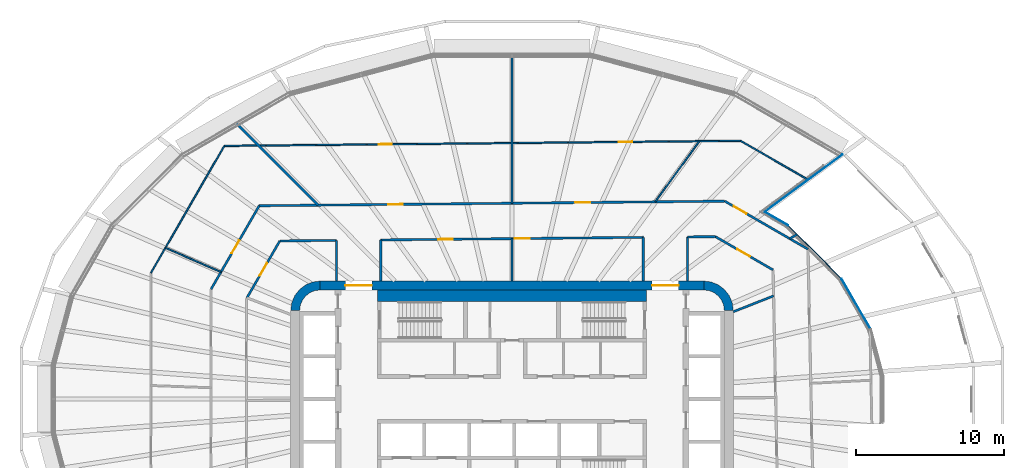
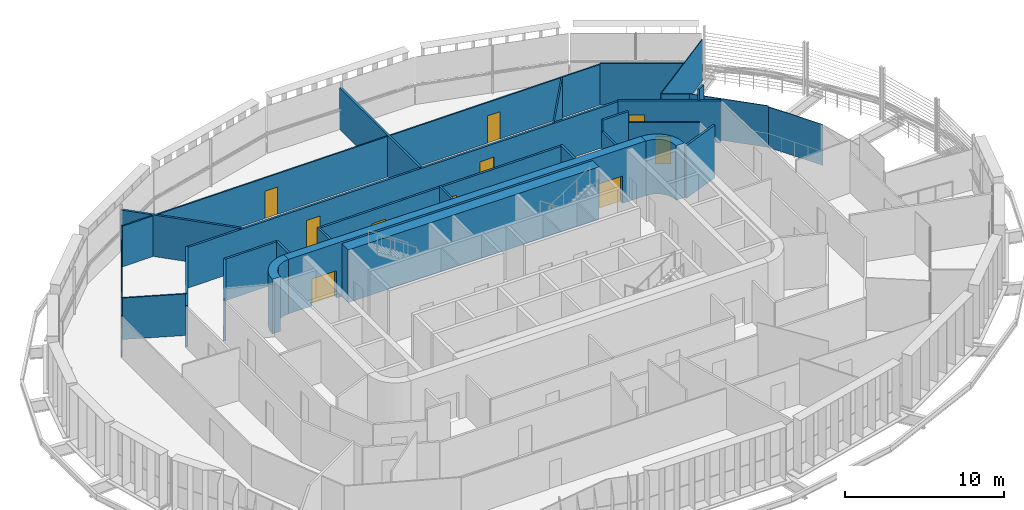
# One storey, part 16 of 24: 30 walls, 12 doors, 12 openings.
"""IFC4 building model written with IfcOpenShell, lengths in metres."""

from ifc_helpers import new_model, si_unit, direction, frame, frame_2d, origin, place, context, subcontext, project, spatial, polyline, rectangle, outline, extrude, material, layer, layer_set, type_object, element, fill, save


model = new_model("IFC4")

# Units and contexts
model_context = context("Model", 3, precision=1e-05, world=origin(), true_north=direction((0.0, 1.0)))
body_context = subcontext(model_context, "Body", "Model", "MODEL_VIEW")
ifc_project = project(units=[si_unit("LENGTHUNIT", "METRE"), si_unit("AREAUNIT", "SQUARE_METRE"), si_unit("VOLUMEUNIT", "CUBIC_METRE"), si_unit("PLANEANGLEUNIT", "RADIAN"), si_unit("MASSUNIT", "GRAM", prefix="KILO")], contexts=[model_context])

# Site, building, storey
site_placement = place(None, origin())
site = spatial("IfcSite", under=ifc_project, at=site_placement, CompositionType="ELEMENT")
building_placement = place(site_placement, origin())
building = spatial("IfcBuilding", under=site, at=building_placement, Name="Sahrelin Media Tower", CompositionType="ELEMENT")
storey_placement = place(building_placement, frame((0.0, 0.0, 71.39990234375)))
storey = spatial("IfcBuildingStorey", under=building, at=storey_placement, Name="L12", CompositionType="ELEMENT", Elevation=71.39990234375)

# Wall, openings, doors
ifc_material_1 = material(Name="Concrete C60/75", Category="concrete")
ifc_layer_1 = layer(ifc_material_1, 0.60009765625)
ifc_layer_set_1 = layer_set([ifc_layer_1], Name="Core wall 600")
wall_type_1 = type_object("IfcWallType", Name="Core wall 600", PredefinedType="SHEAR", material=ifc_layer_set_1)
wall_1_placement = place(storey_placement, frame((-13.0, 7.699951171875, 0.0), z_axis=(0.0, 0.0, 1.0), x_axis=(1.0, 0.0, 0.0)))
wall_1 = element("IfcWall", 1, at=wall_1_placement, inside=storey, type_object=wall_type_1, Name="Core wall N L12", PredefinedType="SHEAR", context=body_context, shape_type="SweptSolid", body=[
    extrude(rectangle(XDim=26.0, YDim=0.60009765625, at=frame_2d((13.0, 0.0))), origin(), (0.0, 0.0, 1.0), 4.2001953125),
])
opening_1_placement = place(wall_1_placement, frame((1.699951171875, 0.0, 0.0)))
opening_1 = element("IfcOpeningElement", 2, at=opening_1_placement, cuts=wall_1, Name="Opening L12-D19", PredefinedType="OPENING", context=body_context, shape_type="SweptSolid", body=[
    extrude(rectangle(XDim=1.800048828125, YDim=2.10009765625, at=frame_2d((0.89990234375, 1.050048828125))), frame((0.0, 0.300048828125, 0.0), z_axis=(0.0, -1.0, 0.0), x_axis=(1.0, 0.0, 0.0)), (0.0, 0.0, 1.0), 0.60009765625),
])
opening_2_placement = place(wall_1_placement, frame((22.5, 0.0, 0.0)))
opening_2 = element("IfcOpeningElement", 3, at=opening_2_placement, cuts=wall_1, Name="Opening L12-D20", PredefinedType="OPENING", context=body_context, shape_type="SweptSolid", body=[
    extrude(rectangle(XDim=1.800048828125, YDim=2.10009765625, at=frame_2d((0.89990234375, 1.050048828125))), frame((0.0, 0.300048828125, 0.0), z_axis=(0.0, -1.0, 0.0), x_axis=(1.0, 0.0, 0.0)), (0.0, 0.0, 1.0), 0.60009765625),
])
ifc_material_2 = material(Name="Steel fire door leaf", Category="steel")
door_type_1 = type_object("IfcDoorType", Name="Lobby double door 1800 x 2100 EI 60", OperationType="DOUBLE_DOOR_SINGLE_SWING", PredefinedType="DOOR", material=ifc_material_2)
door_1_placement = place(opening_1_placement, origin())
door_1 = element("IfcDoor", 4, at=door_1_placement, inside=storey, type_object=door_type_1, Name="Lobby door", OperationType="DOUBLE_DOOR_SINGLE_SWING", OverallHeight=2.10009765625, OverallWidth=1.800048828125, PredefinedType="DOOR", context=body_context, shape_type="SweptSolid", body=[
    extrude(rectangle(XDim=1.800048828125, YDim=2.10009765625, at=frame_2d((0.89990234375, 1.050048828125))), frame((0.0, 0.02490234375, 0.0), z_axis=(0.0, -1.0, 0.0), x_axis=(1.0, 0.0, 0.0)), (0.0, 0.0, 1.0), 0.050048828125),
])
fill(opening_1, door_1)
door_2_placement = place(opening_2_placement, origin())
door_2 = element("IfcDoor", 5, at=door_2_placement, inside=storey, type_object=door_type_1, Name="Lobby door", OperationType="DOUBLE_DOOR_SINGLE_SWING", OverallHeight=2.10009765625, OverallWidth=1.800048828125, PredefinedType="DOOR", context=body_context, shape_type="SweptSolid", body=[
    extrude(rectangle(XDim=1.800048828125, YDim=2.10009765625, at=frame_2d((0.89990234375, 1.050048828125))), frame((0.0, 0.02490234375, 0.0), z_axis=(0.0, -1.0, 0.0), x_axis=(1.0, 0.0, 0.0)), (0.0, 0.0, 1.0), 0.050048828125),
])
fill(opening_2, door_2)

# Walls
placement = place(storey_placement, origin())
element("IfcWall", 6, at=placement, inside=storey, type_object=wall_type_1, Name="Core wall corner NE L12", PredefinedType="SHEAR", context=body_context, shape_type="SweptSolid", body=[
    extrude(outline(polyline([(13.0, 8.0), (13.0, 7.394775390625), (13.361083984375, 7.347412109375), (13.697509765625, 7.2080078125), (13.986328125, 6.986328125), (14.2080078125, 6.697509765625), (14.347412109375, 6.361083984375), (14.394775390625, 6.0), (15.0, 6.0), (14.931884765625, 6.517578125), (14.732177734375, 7.0), (14.414306640625, 7.414306640625), (14.0, 7.732177734375), (13.517578125, 7.931884765625), (13.0, 8.0)])), origin(), (0.0, 0.0, 1.0), 4.2001953125),
])
element("IfcWall", 7, at=placement, inside=storey, type_object=wall_type_1, Name="Core wall corner NW L12", PredefinedType="SHEAR", context=body_context, shape_type="SweptSolid", body=[
    extrude(outline(polyline([(-15.0, 6.0), (-14.394775390625, 6.0), (-14.347412109375, 6.361083984375), (-14.2080078125, 6.697509765625), (-13.986328125, 6.986328125), (-13.697509765625, 7.2080078125), (-13.361083984375, 7.347412109375), (-13.0, 7.394775390625), (-13.0, 8.0), (-13.517578125, 7.931884765625), (-14.0, 7.732177734375), (-14.414306640625, 7.414306640625), (-14.732177734375, 7.0), (-14.931884765625, 6.517578125), (-15.0, 6.0)])), origin(), (0.0, 0.0, 1.0), 4.2001953125),
])
ifc_material_3 = material(Name="Fire-rated gypsum board partition")
ifc_layer_2 = layer(ifc_material_3, 0.14990234375)
ifc_layer_set_2 = layer_set([ifc_layer_2], Name="Fire-rated partition 150")
wall_type_2 = type_object("IfcWallType", Name="Fire-rated partition 150", PredefinedType="PARTITIONING", material=ifc_layer_set_2)
wall_4_placement = place(storey_placement, frame((-18.702880859375, 18.702880859375, 0.0), z_axis=(0.0, 0.0, 1.0), x_axis=(0.707106781187, -0.707106781187, 0.0)))
element("IfcWall", 8, at=wall_4_placement, inside=storey, type_object=wall_type_2, Name="Wall", PredefinedType="PARTITIONING", context=body_context, shape_type="SweptSolid", body=[
    extrude(rectangle(XDim=7.865478515625, YDim=0.14990234375, at=frame_2d((3.9326171875, 0.0))), origin(), (0.0, 0.0, 1.0), 3.1953125),
])

# Wall, opening, door
wall_5_placement = place(storey_placement, frame((13.7900390625, 11.008056640625, 0.0), z_axis=(0.0, 0.0, 1.0), x_axis=(0.866043190618, -0.499969191034, 0.0)))
wall_5 = element("IfcWall", 9, at=wall_5_placement, inside=storey, type_object=wall_type_2, Name="Wall", PredefinedType="PARTITIONING", context=body_context, shape_type="SweptSolid", body=[
    extrude(rectangle(XDim=4.510986328125, YDim=0.14990234375, at=frame_2d((2.25537109375, 0.0))), origin(), (0.0, 0.0, 1.0), 3.1953125),
])
opening_3_placement = place(wall_5_placement, frame((1.706298828125, 0.0, 0.0)))
opening_3 = element("IfcOpeningElement", 10, at=opening_3_placement, cuts=wall_5, Name="Opening L12-D28", PredefinedType="OPENING", context=body_context, shape_type="SweptSolid", body=[
    extrude(rectangle(XDim=1.0, YDim=2.10009765625, at=frame_2d((0.5, 1.050048828125))), frame((0.0, 0.074951171875, 0.0), z_axis=(0.0, -1.0, 0.0), x_axis=(1.0, 0.0, 0.0)), (0.0, 0.0, 1.0), 0.14990234375),
])
door_type_2 = type_object("IfcDoorType", Name="Fire door 1000 x 2100 EI 60", OperationType="NOTDEFINED", PredefinedType="DOOR", material=ifc_material_2)
door_3_placement = place(opening_3_placement, origin())
door_3 = element("IfcDoor", 11, at=door_3_placement, inside=storey, type_object=door_type_2, Name="Fire door", OperationType="SINGLE_SWING_LEFT", OverallHeight=2.10009765625, OverallWidth=1.0, PredefinedType="DOOR", context=body_context, shape_type="SweptSolid", body=[
    extrude(rectangle(XDim=1.0, YDim=2.10009765625, at=frame_2d((0.5, 1.050048828125))), frame((0.0, 0.02490234375, 0.0), z_axis=(0.0, -1.0, 0.0), x_axis=(1.0, 0.0, 0.0)), (0.0, 0.0, 1.0), 0.050048828125),
])
fill(opening_3, door_3)

wall_6_placement = place(storey_placement, frame((14.422119140625, 13.4140625, 0.0), z_axis=(0.0, 0.0, 1.0), x_axis=(0.866054628924, -0.499949377157, 0.0)))
wall_6 = element("IfcWall", 12, at=wall_6_placement, inside=storey, type_object=wall_type_2, Name="Wall", PredefinedType="PARTITIONING", context=body_context, shape_type="SweptSolid", body=[
    extrude(rectangle(XDim=6.519287109375, YDim=0.14990234375, at=frame_2d((3.259765625, 0.0))), origin(), (0.0, 0.0, 1.0), 3.1953125),
])
opening_4_placement = place(wall_6_placement, frame((0.701416015625, 0.0, 0.0)))
opening_4 = element("IfcOpeningElement", 13, at=opening_4_placement, cuts=wall_6, Name="Opening L12-D53", PredefinedType="OPENING", context=body_context, shape_type="SweptSolid", body=[
    extrude(rectangle(XDim=1.0, YDim=2.10009765625, at=frame_2d((0.5, 1.050048828125))), frame((0.0, 0.074951171875, 0.0), z_axis=(0.0, -1.0, 0.0), x_axis=(1.0, 0.0, 0.0)), (0.0, 0.0, 1.0), 0.14990234375),
])
door_4_placement = place(opening_4_placement, origin())
door_4 = element("IfcDoor", 14, at=door_4_placement, inside=storey, type_object=door_type_2, Name="Fire door", OperationType="SINGLE_SWING_LEFT", OverallHeight=2.10009765625, OverallWidth=1.0, PredefinedType="DOOR", context=body_context, shape_type="SweptSolid", body=[
    extrude(rectangle(XDim=1.0, YDim=2.10009765625, at=frame_2d((0.5, 1.050048828125))), frame((0.0, 0.02490234375, 0.0), z_axis=(0.0, -1.0, 0.0), x_axis=(1.0, 0.0, 0.0)), (0.0, 0.0, 1.0), 0.050048828125),
])
fill(opening_4, door_4)

# Wall
wall_7_placement = place(storey_placement, frame((-15.741943359375, 10.715087890625, 0.0), z_axis=(0.0, 0.0, 1.0), x_axis=(0.999950870391, 0.009912456998, 0.0)))
element("IfcWall", 15, at=wall_7_placement, inside=storey, type_object=wall_type_2, Name="Wall", PredefinedType="PARTITIONING", context=body_context, shape_type="SweptSolid", body=[
    extrude(rectangle(XDim=3.84228515625, YDim=0.14990234375, at=frame_2d((1.921142578125, 0.0))), origin(), (0.0, 0.0, 1.0), 3.1953125),
])

# Wall, openings, doors
wall_8_placement = place(storey_placement, frame((-8.89990234375, 10.782958984375, 0.0), z_axis=(0.0, 0.0, 1.0), x_axis=(0.999950697987, 0.009929833562, 0.0)))
wall_8 = element("IfcWall", 16, at=wall_8_placement, inside=storey, type_object=wall_type_2, Name="Wall", PredefinedType="PARTITIONING", context=body_context, shape_type="SweptSolid", body=[
    extrude(rectangle(XDim=17.80078125, YDim=0.14990234375, at=frame_2d((8.900390625, 0.0))), origin(), (0.0, 0.0, 1.0), 3.127197265625),
])
opening_5_placement = place(wall_8_placement, frame((9.100341796875, 0.0, 0.0)))
opening_5 = element("IfcOpeningElement", 17, at=opening_5_placement, cuts=wall_8, Name="Opening L12-D29", PredefinedType="OPENING", context=body_context, shape_type="SweptSolid", body=[
    extrude(rectangle(XDim=1.0, YDim=2.10009765625, at=frame_2d((0.5, 1.050048828125))), frame((0.0, 0.074951171875, 0.0), z_axis=(0.0, -1.0, 0.0), x_axis=(1.0, 0.0, 0.0)), (0.0, 0.0, 1.0), 0.14990234375),
])
opening_6_placement = place(wall_8_placement, frame((3.89990234375, 0.0, 0.0)))
opening_6 = element("IfcOpeningElement", 18, at=opening_6_placement, cuts=wall_8, Name="Opening L12-D30", PredefinedType="OPENING", context=body_context, shape_type="SweptSolid", body=[
    extrude(rectangle(XDim=1.0, YDim=2.10009765625, at=frame_2d((0.5, 1.050048828125))), frame((0.0, 0.074951171875, 0.0), z_axis=(0.0, -1.0, 0.0), x_axis=(1.0, 0.0, 0.0)), (0.0, 0.0, 1.0), 0.14990234375),
])
door_5_placement = place(opening_5_placement, origin())
door_5 = element("IfcDoor", 19, at=door_5_placement, inside=storey, type_object=door_type_2, Name="Fire door", OperationType="SINGLE_SWING_RIGHT", OverallHeight=2.10009765625, OverallWidth=1.0, PredefinedType="DOOR", context=body_context, shape_type="SweptSolid", body=[
    extrude(rectangle(XDim=1.0, YDim=2.10009765625, at=frame_2d((0.5, 1.050048828125))), frame((0.0, 0.02490234375, 0.0), z_axis=(0.0, -1.0, 0.0), x_axis=(1.0, 0.0, 0.0)), (0.0, 0.0, 1.0), 0.050048828125),
])
fill(opening_5, door_5)
door_6_placement = place(opening_6_placement, origin())
door_6 = element("IfcDoor", 20, at=door_6_placement, inside=storey, type_object=door_type_2, Name="Fire door", OperationType="SINGLE_SWING_RIGHT", OverallHeight=2.10009765625, OverallWidth=1.0, PredefinedType="DOOR", context=body_context, shape_type="SweptSolid", body=[
    extrude(rectangle(XDim=1.0, YDim=2.10009765625, at=frame_2d((0.5, 1.050048828125))), frame((0.0, 0.02490234375, 0.0), z_axis=(0.0, -1.0, 0.0), x_axis=(1.0, 0.0, 0.0)), (0.0, 0.0, 1.0), 0.050048828125),
])
fill(opening_6, door_6)

# Wall
wall_9_placement = place(storey_placement, frame((11.89990234375, 10.989013671875, 0.0), z_axis=(0.0, 0.0, 1.0), x_axis=(0.999950544693, 0.009945258582, 0.0)))
element("IfcWall", 21, at=wall_9_placement, inside=storey, type_object=wall_type_2, Name="Wall", PredefinedType="PARTITIONING", context=body_context, shape_type="SweptSolid", body=[
    extrude(rectangle(XDim=1.89013671875, YDim=0.14990234375, at=frame_2d((0.945068359375, 0.0))), origin(), (0.0, 0.0, 1.0), 4.050048828125),
])

# Wall, openings, doors
wall_10_placement = place(storey_placement, frame((-17.135009765625, 13.10107421875, 0.0), z_axis=(0.0, 0.0, 1.0), x_axis=(0.999950742047, 0.009925395736, 0.0)))
wall_10 = element("IfcWall", 22, at=wall_10_placement, inside=storey, type_object=wall_type_2, Name="Wall", PredefinedType="PARTITIONING", context=body_context, shape_type="SweptSolid", body=[
    extrude(rectangle(XDim=31.55859375, YDim=0.14990234375, at=frame_2d((15.779296875, 0.0))), origin(), (0.0, 0.0, 1.0), 3.127197265625),
])
opening_7_placement = place(wall_10_placement, frame((21.44091796875, 0.0, 0.0)))
opening_7 = element("IfcOpeningElement", 23, at=opening_7_placement, cuts=wall_10, Name="Opening L12-D54", PredefinedType="OPENING", context=body_context, shape_type="SweptSolid", body=[
    extrude(rectangle(XDim=1.0, YDim=2.10009765625, at=frame_2d((0.5, 1.050048828125))), frame((0.0, 0.074951171875, 0.0), z_axis=(0.0, -1.0, 0.0), x_axis=(1.0, 0.0, 0.0)), (0.0, 0.0, 1.0), 0.14990234375),
])
opening_8_placement = place(wall_10_placement, frame((8.738525390625, 0.0, 0.0)))
opening_8 = element("IfcOpeningElement", 24, at=opening_8_placement, cuts=wall_10, Name="Opening L12-D56", PredefinedType="OPENING", context=body_context, shape_type="SweptSolid", body=[
    extrude(rectangle(XDim=1.0, YDim=2.10009765625, at=frame_2d((0.5, 1.050048828125))), frame((0.0, 0.074951171875, 0.0), z_axis=(0.0, -1.0, 0.0), x_axis=(1.0, 0.0, 0.0)), (0.0, 0.0, 1.0), 0.14990234375),
])
door_7_placement = place(opening_7_placement, origin())
door_7 = element("IfcDoor", 25, at=door_7_placement, inside=storey, type_object=door_type_2, Name="Fire door", OperationType="SINGLE_SWING_LEFT", OverallHeight=2.10009765625, OverallWidth=1.0, PredefinedType="DOOR", context=body_context, shape_type="SweptSolid", body=[
    extrude(rectangle(XDim=1.0, YDim=2.10009765625, at=frame_2d((0.5, 1.050048828125))), frame((0.0, 0.02490234375, 0.0), z_axis=(0.0, -1.0, 0.0), x_axis=(1.0, 0.0, 0.0)), (0.0, 0.0, 1.0), 0.050048828125),
])
fill(opening_7, door_7)
door_8_placement = place(opening_8_placement, origin())
door_8 = element("IfcDoor", 26, at=door_8_placement, inside=storey, type_object=door_type_2, Name="Fire door", OperationType="SINGLE_SWING_RIGHT", OverallHeight=2.10009765625, OverallWidth=1.0, PredefinedType="DOOR", context=body_context, shape_type="SweptSolid", body=[
    extrude(rectangle(XDim=1.0, YDim=2.10009765625, at=frame_2d((0.5, 1.050048828125))), frame((0.0, 0.02490234375, 0.0), z_axis=(0.0, -1.0, 0.0), x_axis=(1.0, 0.0, 0.0)), (0.0, 0.0, 1.0), 0.050048828125),
])
fill(opening_8, door_8)

# Walls
wall_11_placement = place(storey_placement, frame((15.0, 5.9130859375, 0.0), z_axis=(0.0, 0.0, 1.0), x_axis=(0.930259747539, 0.366901624565, 0.0)))
element("IfcWall", 27, at=wall_11_placement, inside=storey, type_object=wall_type_2, Name="Wall", PredefinedType="PARTITIONING", context=body_context, shape_type="SweptSolid", body=[
    extrude(rectangle(XDim=2.937744140625, YDim=0.14990234375, at=frame_2d((1.46875, 0.0))), origin(), (0.0, 0.0, 1.0), 4.050048828125),
])
wall_12_placement = place(storey_placement, frame((18.827880859375, 10.87109375, 0.0), z_axis=(0.0, 0.0, 1.0), x_axis=(0.866242357422, 0.49962403686, 0.0)))
element("IfcWall", 28, at=wall_12_placement, inside=storey, type_object=wall_type_2, Name="Wall", PredefinedType="PARTITIONING", context=body_context, shape_type="SweptSolid", body=[
    extrude(rectangle(XDim=0.57275390625, YDim=0.14990234375, at=frame_2d((0.286376953125, 0.0))), origin(), (0.0, 0.0, 1.0), 4.050048828125),
])

# Wall, opening, door
wall_13_placement = place(storey_placement, frame((-17.968017578125, 6.860107421875, 0.0), z_axis=(0.0, 0.0, 1.0), x_axis=(0.499985160367, 0.866033971281, 0.0)))
wall_13 = element("IfcWall", 29, at=wall_13_placement, inside=storey, type_object=wall_type_2, Name="Wall", PredefinedType="PARTITIONING", context=body_context, shape_type="SweptSolid", body=[
    extrude(rectangle(XDim=4.451416015625, YDim=0.14990234375, at=frame_2d((2.2255859375, 0.0))), origin(), (0.0, 0.0, 1.0), 3.1953125),
])
opening_9_placement = place(wall_13_placement, frame((1.7236328125, 0.0, 0.0)))
opening_9 = element("IfcOpeningElement", 30, at=opening_9_placement, cuts=wall_13, Name="Opening L12-D31", PredefinedType="OPENING", context=body_context, shape_type="SweptSolid", body=[
    extrude(rectangle(XDim=1.0, YDim=2.10009765625, at=frame_2d((0.5, 1.050048828125))), frame((0.0, 0.074951171875, 0.0), z_axis=(0.0, -1.0, 0.0), x_axis=(1.0, 0.0, 0.0)), (0.0, 0.0, 1.0), 0.14990234375),
])
door_9_placement = place(opening_9_placement, origin())
door_9 = element("IfcDoor", 31, at=door_9_placement, inside=storey, type_object=door_type_2, Name="Fire door", OperationType="SINGLE_SWING_LEFT", OverallHeight=2.10009765625, OverallWidth=1.0, PredefinedType="DOOR", context=body_context, shape_type="SweptSolid", body=[
    extrude(rectangle(XDim=1.0, YDim=2.10009765625, at=frame_2d((0.5, 1.050048828125))), frame((0.0, 0.02490234375, 0.0), z_axis=(0.0, -1.0, 0.0), x_axis=(1.0, 0.0, 0.0)), (0.0, 0.0, 1.0), 0.050048828125),
])
fill(opening_9, door_9)

wall_14_placement = place(storey_placement, frame((-20.39990234375, 7.447021484375, 0.0), z_axis=(0.0, 0.0, 1.0), x_axis=(0.499959831567, 0.866048593798, 0.0)))
wall_14 = element("IfcWall", 32, at=wall_14_placement, inside=storey, type_object=wall_type_2, Name="Wall", PredefinedType="PARTITIONING", context=body_context, shape_type="SweptSolid", body=[
    extrude(rectangle(XDim=6.52880859375, YDim=0.14990234375, at=frame_2d((3.264404296875, 0.0))), origin(), (0.0, 0.0, 1.0), 3.1953125),
])
opening_10_placement = place(wall_14_placement, frame((2.81103515625, 0.0, 0.0)))
opening_10 = element("IfcOpeningElement", 33, at=opening_10_placement, cuts=wall_14, Name="Opening L12-D35", PredefinedType="OPENING", context=body_context, shape_type="SweptSolid", body=[
    extrude(rectangle(XDim=1.0, YDim=2.10009765625, at=frame_2d((0.5, 1.050048828125))), frame((0.0, 0.074951171875, 0.0), z_axis=(0.0, -1.0, 0.0), x_axis=(1.0, 0.0, 0.0)), (0.0, 0.0, 1.0), 0.14990234375),
])
door_10_placement = place(opening_10_placement, origin())
door_10 = element("IfcDoor", 34, at=door_10_placement, inside=storey, type_object=door_type_2, Name="Fire door", OperationType="SINGLE_SWING_RIGHT", OverallHeight=2.10009765625, OverallWidth=1.0, PredefinedType="DOOR", context=body_context, shape_type="SweptSolid", body=[
    extrude(rectangle(XDim=1.0, YDim=2.10009765625, at=frame_2d((0.5, 1.050048828125))), frame((0.0, 0.02490234375, 0.0), z_axis=(0.0, -1.0, 0.0), x_axis=(1.0, 0.0, 0.0)), (0.0, 0.0, 1.0), 0.050048828125),
])
fill(opening_10, door_10)

# Walls
wall_15_placement = place(storey_placement, frame((11.89990234375, 8.0, 0.0), z_axis=(0.0, 0.0, 1.0), x_axis=(0.0, 1.0, 0.0)))
element("IfcWall", 35, at=wall_15_placement, inside=storey, type_object=wall_type_2, Name="Wall", PredefinedType="PARTITIONING", context=body_context, shape_type="SweptSolid", body=[
    extrude(rectangle(XDim=2.989013671875, YDim=0.14990234375, at=frame_2d((1.49462890625, 0.0))), origin(), (0.0, 0.0, 1.0), 3.1953125),
])
wall_16_placement = place(storey_placement, frame((8.89990234375, 8.0, 0.0), z_axis=(0.0, 0.0, 1.0), x_axis=(0.0, 1.0, 0.0)))
element("IfcWall", 36, at=wall_16_placement, inside=storey, type_object=wall_type_2, Name="Wall", PredefinedType="PARTITIONING", context=body_context, shape_type="SweptSolid", body=[
    extrude(rectangle(XDim=2.958984375, YDim=0.14990234375, at=frame_2d((1.4794921875, 0.0))), origin(), (0.0, 0.0, 1.0), 3.1953125),
])
wall_17_placement = place(storey_placement, frame((0.0, 8.0, 0.0), z_axis=(0.0, 0.0, 1.0), x_axis=(0.0, 1.0, 0.0)))
element("IfcWall", 37, at=wall_17_placement, inside=storey, type_object=wall_type_2, Name="Wall", PredefinedType="PARTITIONING", context=body_context, shape_type="SweptSolid", body=[
    extrude(rectangle(XDim=2.87109375, YDim=0.14990234375, at=frame_2d((1.435546875, 0.0))), origin(), (0.0, 0.0, 1.0), 3.1953125),
])
wall_18_placement = place(storey_placement, frame((0.0, 13.27099609375, 0.0), z_axis=(0.0, 0.0, 1.0), x_axis=(0.0, 1.0, 0.0)))
element("IfcWall", 38, at=wall_18_placement, inside=storey, type_object=wall_type_2, Name="Wall", PredefinedType="PARTITIONING", context=body_context, shape_type="SweptSolid", body=[
    extrude(rectangle(XDim=10.10400390625, YDim=0.14990234375, at=frame_2d((5.052001953125, 0.0))), origin(), (0.0, 0.0, 1.0), 3.1953125),
])
wall_19_placement = place(storey_placement, frame((-8.89990234375, 8.0, 0.0), z_axis=(0.0, 0.0, 1.0), x_axis=(0.0, 1.0, 0.0)))
element("IfcWall", 39, at=wall_19_placement, inside=storey, type_object=wall_type_2, Name="Wall", PredefinedType="PARTITIONING", context=body_context, shape_type="SweptSolid", body=[
    extrude(rectangle(XDim=2.782958984375, YDim=0.14990234375, at=frame_2d((1.3916015625, 0.0))), origin(), (0.0, 0.0, 1.0), 3.1953125),
])
wall_20_placement = place(storey_placement, frame((-11.89990234375, 8.0, 0.0), z_axis=(0.0, 0.0, 1.0), x_axis=(0.0, 1.0, 0.0)))
element("IfcWall", 40, at=wall_20_placement, inside=storey, type_object=wall_type_2, Name="Wall", PredefinedType="PARTITIONING", context=body_context, shape_type="SweptSolid", body=[
    extrude(rectangle(XDim=2.7529296875, YDim=0.14990234375, at=frame_2d((1.37646484375, 0.0))), origin(), (0.0, 0.0, 1.0), 3.1953125),
])
ifc_material_4 = material(Name="Clear glass", Category="glass")
ifc_layer_3 = layer(ifc_material_4, 0.050048828125)
ifc_layer_set_3 = layer_set([ifc_layer_3], Name="Glazed partition 50")
wall_type_3 = type_object("IfcWallType", Name="Glazed partition 50", PredefinedType="PARTITIONING", material=ifc_layer_set_3)
wall_21_placement = place(storey_placement, frame((22.34912109375, 8.132080078125, 0.0), z_axis=(0.0, 0.0, 1.0), x_axis=(0.500744318686, -0.865595244502, 0.0)))
element("IfcWall", 41, at=wall_21_placement, inside=storey, type_object=wall_type_3, Name="Wall", PredefinedType="PARTITIONING", context=body_context, shape_type="SweptSolid", body=[
    extrude(rectangle(XDim=3.9560546875, YDim=0.050048828125, at=frame_2d((1.97802734375, 0.0))), origin(), (0.0, 0.0, 1.0), 3.127197265625),
])
wall_22_placement = place(storey_placement, frame((18.7080078125, 11.77294921875, 0.0), z_axis=(0.0, 0.0, 1.0), x_axis=(0.707130487725, -0.707083073853, 0.0)))
element("IfcWall", 42, at=wall_22_placement, inside=storey, type_object=wall_type_3, Name="Wall", PredefinedType="PARTITIONING", context=body_context, shape_type="SweptSolid", body=[
    extrude(rectangle(XDim=5.149169921875, YDim=0.050048828125, at=frame_2d((2.57470703125, 0.0))), origin(), (0.0, 0.0, 1.0), 3.1953125),
])
wall_23_placement = place(storey_placement, frame((17.134033203125, 12.681884765625, 0.0), z_axis=(0.0, 0.0, 1.0), x_axis=(0.865977542148, -0.500082889625, 0.0)))
element("IfcWall", 43, at=wall_23_placement, inside=storey, type_object=wall_type_3, Name="Wall", PredefinedType="PARTITIONING", context=body_context, shape_type="SweptSolid", body=[
    extrude(rectangle(XDim=1.817626953125, YDim=0.050048828125, at=frame_2d((0.90869140625, 0.0))), origin(), (0.0, 0.0, 1.0), 3.1953125),
])
wall_24_placement = place(storey_placement, frame((17.1337890625, 12.68212890625, 0.0), z_axis=(0.0, 0.0, 1.0), x_axis=(0.80379050332, 0.594912453033, 0.0)))
element("IfcWall", 44, at=wall_24_placement, inside=storey, type_object=wall_type_3, Name="Wall", PredefinedType="PARTITIONING", context=body_context, shape_type="SweptSolid", body=[
    extrude(rectangle(XDim=6.5419921875, YDim=0.050048828125, at=frame_2d((3.27099609375, 0.0))), origin(), (0.0, 0.0, 1.0), 3.1953125),
])
ifc_material_5 = material(Name="Gypsum board partition")
ifc_layer_4 = layer(ifc_material_5, 0.10009765625)
ifc_layer_set_4 = layer_set([ifc_layer_4], Name="Partition 100")
wall_type_4 = type_object("IfcWallType", Name="Partition 100", PredefinedType="PARTITIONING", material=ifc_layer_set_4)
wall_25_placement = place(storey_placement, frame((15.49609375, 17.5048828125, 0.0), z_axis=(0.0, 0.0, 1.0), x_axis=(0.865998786996, -0.500046098797, 0.0)))
element("IfcWall", 45, at=wall_25_placement, inside=storey, type_object=wall_type_4, Name="Wall", PredefinedType="PARTITIONING", context=body_context, shape_type="SweptSolid", body=[
    extrude(rectangle(XDim=5.2890625, YDim=0.10009765625, at=frame_2d((2.64453125, 0.0))), origin(), (0.0, 0.0, 1.0), 3.1953125),
])
wall_26_placement = place(storey_placement, frame((-23.492919921875, 10.25, 0.0), z_axis=(0.0, 0.0, 1.0), x_axis=(0.916532244419, -0.399960804254, 0.0)))
element("IfcWall", 46, at=wall_26_placement, inside=storey, type_object=wall_type_4, Name="Wall", PredefinedType="PARTITIONING", context=body_context, shape_type="SweptSolid", body=[
    extrude(rectangle(XDim=4.105712890625, YDim=0.10009765625, at=frame_2d((2.052734375, 0.0))), origin(), (0.0, 0.0, 1.0), 3.1953125),
])

# Wall, openings, doors
wall_27_placement = place(storey_placement, frame((-19.50390625, 17.157958984375, 0.0), z_axis=(0.0, 0.0, 1.0), x_axis=(0.999950671051, 0.009932545728, 0.0)))
wall_27 = element("IfcWall", 47, at=wall_27_placement, inside=storey, type_object=wall_type_4, Name="Wall", PredefinedType="PARTITIONING", context=body_context, shape_type="SweptSolid", body=[
    extrude(rectangle(XDim=35.001708984375, YDim=0.10009765625, at=frame_2d((17.5009765625, 0.0))), origin(), (0.0, 0.0, 1.0), 3.127197265625),
])
opening_11_placement = place(wall_27_placement, frame((26.7529296875, 0.0, 0.0)))
opening_11 = element("IfcOpeningElement", 48, at=opening_11_placement, cuts=wall_27, Name="Opening L12-D55", PredefinedType="OPENING", context=body_context, shape_type="SweptSolid", body=[
    extrude(rectangle(XDim=0.89990234375, YDim=2.10009765625, at=frame_2d((0.449951171875, 1.050048828125))), frame((0.0, 0.050048828125, 0.0), z_axis=(0.0, -1.0, 0.0), x_axis=(1.0, 0.0, 0.0)), (0.0, 0.0, 1.0), 0.10009765625),
])
opening_12_placement = place(wall_27_placement, frame((10.46337890625, 0.0, 0.0)))
opening_12 = element("IfcOpeningElement", 49, at=opening_12_placement, cuts=wall_27, Name="Opening L12-D57", PredefinedType="OPENING", context=body_context, shape_type="SweptSolid", body=[
    extrude(rectangle(XDim=0.89990234375, YDim=2.10009765625, at=frame_2d((0.449951171875, 1.050048828125))), frame((0.0, 0.050048828125, 0.0), z_axis=(0.0, -1.0, 0.0), x_axis=(1.0, 0.0, 0.0)), (0.0, 0.0, 1.0), 0.10009765625),
])
ifc_material_6 = material(Name="Timber door leaf", Category="wood")
door_type_3 = type_object("IfcDoorType", Name="Single door 900 x 2100", OperationType="NOTDEFINED", PredefinedType="DOOR", material=ifc_material_6)
door_11_placement = place(opening_11_placement, origin())
door_11 = element("IfcDoor", 50, at=door_11_placement, inside=storey, type_object=door_type_3, Name="Single door", OperationType="SINGLE_SWING_LEFT", OverallHeight=2.10009765625, OverallWidth=0.89990234375, PredefinedType="DOOR", context=body_context, shape_type="SweptSolid", body=[
    extrude(rectangle(XDim=0.89990234375, YDim=2.10009765625, at=frame_2d((0.449951171875, 1.050048828125))), frame((0.0, 0.02490234375, 0.0), z_axis=(0.0, -1.0, 0.0), x_axis=(1.0, 0.0, 0.0)), (0.0, 0.0, 1.0), 0.050048828125),
])
fill(opening_11, door_11)
door_12_placement = place(opening_12_placement, origin())
door_12 = element("IfcDoor", 51, at=door_12_placement, inside=storey, type_object=door_type_3, Name="Single door", OperationType="SINGLE_SWING_RIGHT", OverallHeight=2.10009765625, OverallWidth=0.89990234375, PredefinedType="DOOR", context=body_context, shape_type="SweptSolid", body=[
    extrude(rectangle(XDim=0.89990234375, YDim=2.10009765625, at=frame_2d((0.449951171875, 1.050048828125))), frame((0.0, 0.02490234375, 0.0), z_axis=(0.0, -1.0, 0.0), x_axis=(1.0, 0.0, 0.0)), (0.0, 0.0, 1.0), 0.050048828125),
])
fill(opening_12, door_12)

# Walls
wall_28_placement = place(storey_placement, frame((9.7119140625, 13.366943359375, 0.0), z_axis=(0.0, 0.0, 1.0), x_axis=(0.587774449377, 0.809024843043, 0.0)))
element("IfcWall", 52, at=wall_28_placement, inside=storey, type_object=wall_type_4, Name="Wall", PredefinedType="PARTITIONING", context=body_context, shape_type="SweptSolid", body=[
    extrude(rectangle(XDim=5.080322265625, YDim=0.10009765625, at=frame_2d((2.5400390625, 0.0))), origin(), (0.0, 0.0, 1.0), 3.127197265625),
])
wall_29_placement = place(storey_placement, frame((-24.47998046875, 8.5400390625, 0.0), z_axis=(0.0, 0.0, 1.0), x_axis=(0.499991453095, 0.866030338286, 0.0)))
element("IfcWall", 53, at=wall_29_placement, inside=storey, type_object=wall_type_4, Name="Wall", PredefinedType="PARTITIONING", context=body_context, shape_type="SweptSolid", body=[
    extrude(rectangle(XDim=9.951416015625, YDim=0.10009765625, at=frame_2d((4.9755859375, 0.0))), origin(), (0.0, 0.0, 1.0), 3.1953125),
])
ifc_layer_5 = layer(ifc_material_1, 0.800048828125)
ifc_layer_set_5 = layer_set([ifc_layer_5], Name="Stair enclosure wall 800")
wall_type_5 = type_object("IfcWallType", Name="Stair enclosure wall 800", PredefinedType="SOLIDWALL", material=ifc_layer_set_5)
wall_30_placement = place(storey_placement, frame((-9.125, 7.0, 0.0), z_axis=(0.0, 0.0, 1.0), x_axis=(1.0, 0.0, 0.0)))
element("IfcWall", 54, at=wall_30_placement, inside=storey, type_object=wall_type_5, Name="Stair enclosure wall", PredefinedType="SOLIDWALL", context=body_context, shape_type="SweptSolid", body=[
    extrude(rectangle(XDim=18.25, YDim=0.800048828125, at=frame_2d((9.125, 0.0))), origin(), (0.0, 0.0, 1.0), 4.050048828125),
])

save(model, "model.ifc")
